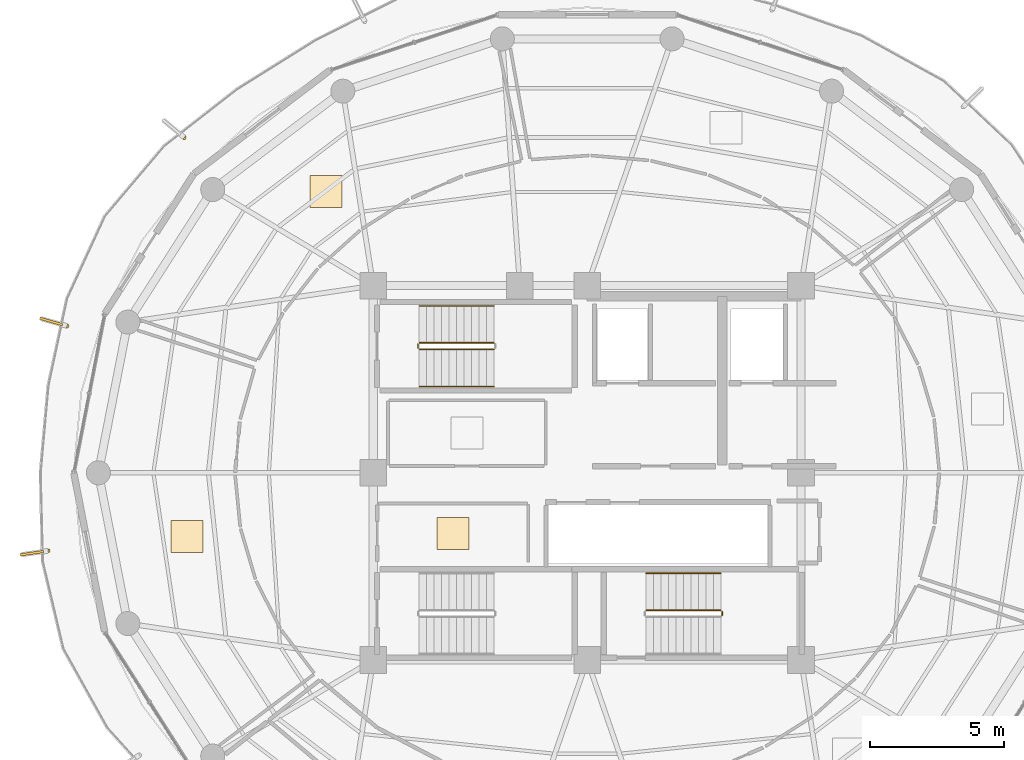
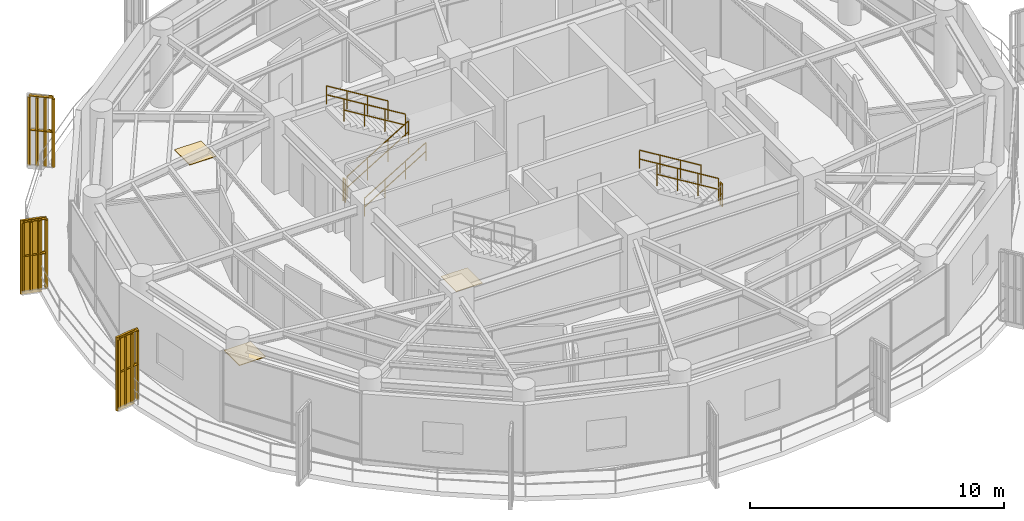
# One storey, part 21 of 23: 11 railings, 3 coverings, 2 shading devices.
"""IFC4 building model written with IfcOpenShell, lengths in metres."""

from ifc_helpers import new_model, si_unit, direction, frame, origin, origin_2d, place, context, subcontext, project, spatial, polyline, rectangle, outline, extrude, source, transform, mapped, material, layer, layer_set, type_object, element, save


model = new_model("IFC4")

# Units and contexts
model_context = context("Model", 3, precision=1e-05, world=origin(), true_north=direction((0.0, 1.0)))
body_context = subcontext(model_context, "Body", "Model", "MODEL_VIEW")
ifc_project = project(units=[si_unit("LENGTHUNIT", "METRE"), si_unit("AREAUNIT", "SQUARE_METRE"), si_unit("VOLUMEUNIT", "CUBIC_METRE"), si_unit("PLANEANGLEUNIT", "RADIAN"), si_unit("MASSUNIT", "GRAM", prefix="KILO")], contexts=[model_context])

# Site, building, storey
site_placement = place(None, origin())
site = spatial("IfcSite", under=ifc_project, at=site_placement, CompositionType="ELEMENT")
building_placement = place(site_placement, origin())
building = spatial("IfcBuilding", under=site, at=building_placement, Name="Kelanora Arch Commons", CompositionType="ELEMENT")
storey_placement = place(building_placement, frame((0.0, 0.0, 289.949951171875)))
storey = spatial("IfcBuildingStorey", under=building, at=storey_placement, Name="L74", CompositionType="ELEMENT", Elevation=289.949951171875)

# Railings
ifc_material_1 = material(Name="Anodised bronze vertical shading fin rib assembly")
railing_type_1 = type_object("IfcRailingType", Name="RAIL-FIN-BRZ", PredefinedType="BALUSTRADE", material=ifc_material_1)
railing_1_placement = place(storey_placement, frame((58.928955078125, 70.541259765625, -0.02001953125)))
element("IfcRailing", 1, at=railing_1_placement, inside=storey, type_object=railing_type_1, Name="Sweeping Bronze Vertical Fin Blade L74-06", PredefinedType="BALUSTRADE", context=body_context, shape_type="SweptSolid", body=[
    extrude(outline(polyline([(0.06982421875, 0.0), (0.034912109375, 0.060546875), (-0.034912109375, 0.060546875), (-0.06982421875, 0.0), (-0.034912109375, -0.060546875), (0.034912109375, -0.060546875), (0.06982421875, 0.0)])), frame((0.0, 0.0, 3.35986328125), z_axis=(-0.768726133389, 0.639578088935, 0.0), x_axis=(-0.639578088935, -0.768726133389, 0.0)), (0.0, 0.0, 1.0), 0.950927734375),
    extrude(outline(polyline([(0.06982421875, 0.0), (0.034912109375, 0.060546875), (-0.034912109375, 0.060546875), (-0.06982421875, 0.0), (-0.034912109375, -0.060546875), (0.034912109375, -0.060546875), (0.06982421875, 0.0)])), frame((0.0, 0.0, 1.71484375), z_axis=(-0.768726133389, 0.639578088935, 0.0), x_axis=(-0.639578088935, -0.768726133389, 0.0)), (0.0, 0.0, 1.0), 0.950927734375),
    extrude(outline(polyline([(0.080078125, 0.0), (0.0400390625, 0.0693359375), (-0.0400390625, 0.0693359375), (-0.080078125, 0.0), (-0.0400390625, -0.0693359375), (0.0400390625, -0.0693359375), (0.080078125, 0.0)])), origin(), (0.0, 0.0, 1.0), 3.2900390625),
    extrude(outline(polyline([(0.080078125, 0.0), (0.0400390625, 0.0693359375), (-0.0400390625, 0.0693359375), (-0.080078125, 0.0), (-0.0400390625, -0.0693359375), (0.0400390625, -0.0693359375), (0.080078125, 0.0)])), frame((-0.24365234375, 0.20263671875, 0.0)), (0.0, 0.0, 1.0), 3.2900390625),
    extrude(outline(polyline([(0.080078125, 0.0), (0.0400390625, 0.0693359375), (-0.0400390625, 0.0693359375), (-0.080078125, 0.0), (-0.0400390625, -0.0693359375), (0.0400390625, -0.0693359375), (0.080078125, 0.0)])), frame((-0.4873046875, 0.405517578125, 0.0)), (0.0, 0.0, 1.0), 3.2900390625),
    extrude(outline(polyline([(0.080078125, 0.0), (0.0400390625, 0.0693359375), (-0.0400390625, 0.0693359375), (-0.080078125, 0.0), (-0.0400390625, -0.0693359375), (0.0400390625, -0.0693359375), (0.080078125, 0.0)])), frame((-0.73095703125, 0.608154296875, 0.0)), (0.0, 0.0, 1.0), 3.2900390625),
])
railing_2_placement = place(storey_placement, frame((54.545654296875, 63.4921875, -0.02001953125)))
element("IfcRailing", 2, at=railing_2_placement, inside=storey, type_object=railing_type_1, Name="Sweeping Bronze Vertical Fin Blade L74-07", PredefinedType="BALUSTRADE", context=body_context, shape_type="SweptSolid", body=[
    extrude(outline(polyline([(0.06982421875, 0.0), (0.034912109375, 0.060546875), (-0.034912109375, 0.060546875), (-0.06982421875, 0.0), (-0.034912109375, -0.060546875), (0.034912109375, -0.060546875), (0.06982421875, 0.0)])), frame((0.0, 0.0, 3.35986328125), z_axis=(-0.962391167841, 0.271667517496, 0.0), x_axis=(-0.271667517496, -0.962391167841, 0.0)), (0.0, 0.0, 1.0), 0.95068359375),
    extrude(outline(polyline([(0.06982421875, 0.0), (0.034912109375, 0.060546875), (-0.034912109375, 0.060546875), (-0.06982421875, 0.0), (-0.034912109375, -0.060546875), (0.034912109375, -0.060546875), (0.06982421875, 0.0)])), frame((0.0, 0.0, 1.71484375), z_axis=(-0.962391167841, 0.271667517496, 0.0), x_axis=(-0.271667517496, -0.962391167841, 0.0)), (0.0, 0.0, 1.0), 0.95068359375),
    extrude(outline(polyline([(0.080078125, 0.0), (0.0400390625, 0.0693359375), (-0.0400390625, 0.0693359375), (-0.080078125, 0.0), (-0.0400390625, -0.0693359375), (0.0400390625, -0.0693359375), (0.080078125, 0.0)])), origin(), (0.0, 0.0, 1.0), 3.2900390625),
    extrude(outline(polyline([(0.080078125, 0.0), (0.0400390625, 0.0693359375), (-0.0400390625, 0.0693359375), (-0.080078125, 0.0), (-0.0400390625, -0.0693359375), (0.0400390625, -0.0693359375), (0.080078125, 0.0)])), frame((-0.304931640625, 0.086181640625, 0.0)), (0.0, 0.0, 1.0), 3.2900390625),
    extrude(outline(polyline([(0.080078125, 0.0), (0.0400390625, 0.0693359375), (-0.0400390625, 0.0693359375), (-0.080078125, 0.0), (-0.0400390625, -0.0693359375), (0.0400390625, -0.0693359375), (0.080078125, 0.0)])), frame((-0.610107421875, 0.172119140625, 0.0)), (0.0, 0.0, 1.0), 3.2900390625),
    extrude(outline(polyline([(0.080078125, 0.0), (0.0400390625, 0.0693359375), (-0.0400390625, 0.0693359375), (-0.080078125, 0.0), (-0.0400390625, -0.0693359375), (0.0400390625, -0.0693359375), (0.080078125, 0.0)])), frame((-0.9150390625, 0.25830078125, 0.0)), (0.0, 0.0, 1.0), 3.2900390625),
])
railing_3_placement = place(storey_placement, frame((53.840087890625, 55.08251953125, -0.02001953125)))
element("IfcRailing", 3, at=railing_3_placement, inside=storey, type_object=railing_type_1, Name="Sweeping Bronze Vertical Fin Blade L74-08", PredefinedType="BALUSTRADE", context=body_context, shape_type="SweptSolid", body=[
    extrude(outline(polyline([(0.06982421875, 0.0), (0.034912109375, 0.060546875), (-0.034912109375, 0.060546875), (-0.06982421875, 0.0), (-0.034912109375, -0.060546875), (0.034912109375, -0.060546875), (0.06982421875, 0.0)])), frame((0.0, 0.0, 3.35986328125), z_axis=(-0.989680663651, -0.143290557944, 0.0), x_axis=(0.143290557944, -0.989680663651, 0.0)), (0.0, 0.0, 1.0), 0.95068359375),
    extrude(outline(polyline([(0.06982421875, 0.0), (0.034912109375, 0.060546875), (-0.034912109375, 0.060546875), (-0.06982421875, 0.0), (-0.034912109375, -0.060546875), (0.034912109375, -0.060546875), (0.06982421875, 0.0)])), frame((0.0, 0.0, 1.71484375), z_axis=(-0.989680663651, -0.143290557944, 0.0), x_axis=(0.143290557944, -0.989680663651, 0.0)), (0.0, 0.0, 1.0), 0.95068359375),
    extrude(outline(polyline([(0.080078125, 0.0), (0.0400390625, 0.0693359375), (-0.0400390625, 0.0693359375), (-0.080078125, 0.0), (-0.0400390625, -0.0693359375), (0.0400390625, -0.0693359375), (0.080078125, 0.0)])), origin(), (0.0, 0.0, 1.0), 3.2900390625),
    extrude(outline(polyline([(0.080078125, 0.0), (0.0400390625, 0.0693359375), (-0.0400390625, 0.0693359375), (-0.080078125, 0.0), (-0.0400390625, -0.0693359375), (0.0400390625, -0.0693359375), (0.080078125, 0.0)])), frame((-0.313720703125, -0.04541015625, 0.0)), (0.0, 0.0, 1.0), 3.2900390625),
    extrude(outline(polyline([(0.080078125, 0.0), (0.0400390625, 0.0693359375), (-0.0400390625, 0.0693359375), (-0.080078125, 0.0), (-0.0400390625, -0.0693359375), (0.0400390625, -0.0693359375), (0.080078125, 0.0)])), frame((-0.627197265625, -0.0908203125, 0.0)), (0.0, 0.0, 1.0), 3.2900390625),
    extrude(outline(polyline([(0.080078125, 0.0), (0.0400390625, 0.0693359375), (-0.0400390625, 0.0693359375), (-0.080078125, 0.0), (-0.0400390625, -0.0693359375), (0.0400390625, -0.0693359375), (0.080078125, 0.0)])), frame((-0.94091796875, -0.13623046875, 0.0)), (0.0, 0.0, 1.0), 3.2900390625),
])
ifc_material_2 = material(Name="Painted steel stair well guard", Category="steel")
railing_type_2 = type_object("IfcRailingType", Name="RAIL-STAIR-GRD", PredefinedType="GUARDRAIL", material=ifc_material_2)
railing_4_placement = place(storey_placement, frame((67.719970703125, 62.610107421875, 0.17041015625)))
element("IfcRailing", 4, at=railing_4_placement, inside=storey, type_object=railing_type_2, Name="L74 ST-T1 stair guard 1", PredefinedType="GUARDRAIL", context=body_context, shape_type="SweptSolid", body=[
    extrude(outline(polyline([(0.02392578125, 0.0), (0.011962890625, 0.020751953125), (-0.011962890625, 0.020751953125), (-0.02392578125, 0.0), (-0.011962890625, -0.020751953125), (0.011962890625, -0.020751953125), (0.02392578125, 0.0)])), frame((0.0, 0.0, 1.076171875), z_axis=(0.854169791009, 0.0, 0.51999420009), x_axis=(0.0, 1.0, 0.0)), (0.0, 0.0, 1.0), 3.278076171875),
    extrude(outline(polyline([(0.02392578125, 0.0), (0.011962890625, 0.020751953125), (-0.011962890625, 0.020751953125), (-0.02392578125, 0.0), (-0.011962890625, -0.020751953125), (0.011962890625, -0.020751953125), (0.02392578125, 0.0)])), frame((0.0, 0.0, 0.550048828125), z_axis=(0.854169791009, 0.0, 0.51999420009), x_axis=(0.0, 1.0, 0.0)), (0.0, 0.0, 1.0), 3.278076171875),
    extrude(outline(polyline([(0.02099609375, 0.0), (0.010498046875, 0.01806640625), (-0.010498046875, 0.01806640625), (-0.02099609375, 0.0), (-0.010498046875, -0.01806640625), (0.010498046875, -0.01806640625), (0.02099609375, 0.0)])), origin(), (0.0, 0.0, 1.0), 1.052001953125),
    extrude(outline(polyline([(0.02099609375, 0.0), (0.010498046875, 0.01806640625), (-0.010498046875, 0.01806640625), (-0.02099609375, 0.0), (-0.010498046875, -0.01806640625), (0.010498046875, -0.01806640625), (0.02099609375, 0.0)])), frame((0.933349609375, 0.0, 0.568115234375)), (0.0, 0.0, 1.0), 1.052001953125),
    extrude(outline(polyline([(0.02099609375, 0.0), (0.010498046875, 0.01806640625), (-0.010498046875, 0.01806640625), (-0.02099609375, 0.0), (-0.010498046875, -0.01806640625), (0.010498046875, -0.01806640625), (0.02099609375, 0.0)])), frame((1.86669921875, 0.0, 1.136474609375)), (0.0, 0.0, 1.0), 1.052001953125),
    extrude(outline(polyline([(0.02099609375, 0.0), (0.010498046875, 0.01806640625), (-0.010498046875, 0.01806640625), (-0.02099609375, 0.0), (-0.010498046875, -0.01806640625), (0.010498046875, -0.01806640625), (0.02099609375, 0.0)])), frame((2.800048828125, 0.0, 1.70458984375)), (0.0, 0.0, 1.0), 1.052001953125),
])
railing_5_placement = place(storey_placement, frame((70.52001953125, 62.860107421875, 2.04541015625)))
element("IfcRailing", 5, at=railing_5_placement, inside=storey, type_object=railing_type_2, Name="L74 ST-T1 stair guard 3", PredefinedType="GUARDRAIL", context=body_context, shape_type="SweptSolid", body=[
    extrude(outline(polyline([(0.02392578125, 0.0), (0.011962890625, 0.020751953125), (-0.011962890625, 0.020751953125), (-0.02392578125, 0.0), (-0.011962890625, -0.020751953125), (0.011962890625, -0.020751953125), (0.02392578125, 0.0)])), frame((0.0, 0.0, 1.076171875), z_axis=(-0.854169791009, 0.0, 0.51999420009), x_axis=(0.0, -1.0, 0.0)), (0.0, 0.0, 1.0), 3.278076171875),
    extrude(outline(polyline([(0.02392578125, 0.0), (0.011962890625, 0.020751953125), (-0.011962890625, 0.020751953125), (-0.02392578125, 0.0), (-0.011962890625, -0.020751953125), (0.011962890625, -0.020751953125), (0.02392578125, 0.0)])), frame((0.0, 0.0, 0.550048828125), z_axis=(-0.854169791009, 0.0, 0.51999420009), x_axis=(0.0, -1.0, 0.0)), (0.0, 0.0, 1.0), 3.278076171875),
    extrude(outline(polyline([(0.02099609375, 0.0), (0.010498046875, 0.01806640625), (-0.010498046875, 0.01806640625), (-0.02099609375, 0.0), (-0.010498046875, -0.01806640625), (0.010498046875, -0.01806640625), (0.02099609375, 0.0)])), origin(), (0.0, 0.0, 1.0), 1.052001953125),
    extrude(outline(polyline([(0.02099609375, 0.0), (0.010498046875, 0.01806640625), (-0.010498046875, 0.01806640625), (-0.02099609375, 0.0), (-0.010498046875, -0.01806640625), (0.010498046875, -0.01806640625), (0.02099609375, 0.0)])), frame((-0.933349609375, 0.0, 0.568115234375)), (0.0, 0.0, 1.0), 1.052001953125),
    extrude(outline(polyline([(0.02099609375, 0.0), (0.010498046875, 0.01806640625), (-0.010498046875, 0.01806640625), (-0.02099609375, 0.0), (-0.010498046875, -0.01806640625), (0.010498046875, -0.01806640625), (0.02099609375, 0.0)])), frame((-1.86669921875, 0.0, 1.136474609375)), (0.0, 0.0, 1.0), 1.052001953125),
    extrude(outline(polyline([(0.02099609375, 0.0), (0.010498046875, 0.01806640625), (-0.010498046875, 0.01806640625), (-0.02099609375, 0.0), (-0.010498046875, -0.01806640625), (0.010498046875, -0.01806640625), (0.02099609375, 0.0)])), frame((-2.800048828125, 0.0, 1.70458984375)), (0.0, 0.0, 1.0), 1.052001953125),
])
for number, where, name in (
    (6, (67.669921875, 62.659912109375, 0.0), "L74 ST-T1 stair guard 4"),
    (7, (79.050048828125, 52.659912109375, 1.875), "L74 ST-T2 stair guard 2"),
):
    element("IfcRailing", number, at=place(storey_placement, frame(where)), inside=storey, type_object=railing_type_2, Name=name, PredefinedType="GUARDRAIL", context=body_context, shape_type="SweptSolid", body=[
        extrude(outline(polyline([(0.02392578125, 0.0), (0.011962890625, 0.020751953125), (-0.011962890625, 0.020751953125), (-0.02392578125, 0.0), (-0.011962890625, -0.020751953125), (0.011962890625, -0.020751953125), (0.02392578125, 0.0)])), frame((0.0, 0.0, 1.076171875), z_axis=(0.0, 1.0, 0.0), x_axis=(-1.0, 0.0, 0.0)), (0.0, 0.0, 1.0), 0.150146484375),
        extrude(outline(polyline([(0.02392578125, 0.0), (0.011962890625, 0.020751953125), (-0.011962890625, 0.020751953125), (-0.02392578125, 0.0), (-0.011962890625, -0.020751953125), (0.011962890625, -0.020751953125), (0.02392578125, 0.0)])), frame((0.0, 0.0, 0.550048828125), z_axis=(0.0, 1.0, 0.0), x_axis=(-1.0, 0.0, 0.0)), (0.0, 0.0, 1.0), 0.150146484375),
        extrude(outline(polyline([(0.02099609375, 0.0), (0.010498046875, 0.01806640625), (-0.010498046875, 0.01806640625), (-0.02099609375, 0.0), (-0.010498046875, -0.01806640625), (0.010498046875, -0.01806640625), (0.02099609375, 0.0)])), origin(), (0.0, 0.0, 1.0), 1.052001953125),
        extrude(outline(polyline([(0.02099609375, 0.0), (0.010498046875, 0.01806640625), (-0.010498046875, 0.01806640625), (-0.02099609375, 0.0), (-0.010498046875, -0.01806640625), (0.010498046875, -0.01806640625), (0.02099609375, 0.0)])), frame((0.0, 0.150146484375, 0.0)), (0.0, 0.0, 1.0), 1.052001953125),
    ])
railing_6_placement = place(storey_placement, frame((79.0, 52.860107421875, 2.04541015625)))
element("IfcRailing", 8, at=railing_6_placement, inside=storey, type_object=railing_type_2, Name="L74 ST-T2 stair guard 3", PredefinedType="GUARDRAIL", context=body_context, shape_type="SweptSolid", body=[
    extrude(outline(polyline([(0.02392578125, 0.0), (0.011962890625, 0.020751953125), (-0.011962890625, 0.020751953125), (-0.02392578125, 0.0), (-0.011962890625, -0.020751953125), (0.011962890625, -0.020751953125), (0.02392578125, 0.0)])), frame((0.0, 0.0, 1.076171875), z_axis=(-0.854169791009, 0.0, 0.51999420009), x_axis=(0.0, -1.0, 0.0)), (0.0, 0.0, 1.0), 3.278076171875),
    extrude(outline(polyline([(0.02392578125, 0.0), (0.011962890625, 0.020751953125), (-0.011962890625, 0.020751953125), (-0.02392578125, 0.0), (-0.011962890625, -0.020751953125), (0.011962890625, -0.020751953125), (0.02392578125, 0.0)])), frame((0.0, 0.0, 0.550048828125), z_axis=(-0.854169791009, 0.0, 0.51999420009), x_axis=(0.0, -1.0, 0.0)), (0.0, 0.0, 1.0), 3.278076171875),
    extrude(outline(polyline([(0.02099609375, 0.0), (0.010498046875, 0.01806640625), (-0.010498046875, 0.01806640625), (-0.02099609375, 0.0), (-0.010498046875, -0.01806640625), (0.010498046875, -0.01806640625), (0.02099609375, 0.0)])), origin(), (0.0, 0.0, 1.0), 1.052001953125),
    extrude(outline(polyline([(0.02099609375, 0.0), (0.010498046875, 0.01806640625), (-0.010498046875, 0.01806640625), (-0.02099609375, 0.0), (-0.010498046875, -0.01806640625), (0.010498046875, -0.01806640625), (0.02099609375, 0.0)])), frame((-0.933349609375, 0.0, 0.568115234375)), (0.0, 0.0, 1.0), 1.052001953125),
    extrude(outline(polyline([(0.02099609375, 0.0), (0.010498046875, 0.01806640625), (-0.010498046875, 0.01806640625), (-0.02099609375, 0.0), (-0.010498046875, -0.01806640625), (0.010498046875, -0.01806640625), (0.02099609375, 0.0)])), frame((-1.86669921875, 0.0, 1.136474609375)), (0.0, 0.0, 1.0), 1.052001953125),
    extrude(outline(polyline([(0.02099609375, 0.0), (0.010498046875, 0.01806640625), (-0.010498046875, 0.01806640625), (-0.02099609375, 0.0), (-0.010498046875, -0.01806640625), (0.010498046875, -0.01806640625), (0.02099609375, 0.0)])), frame((-2.800048828125, 0.0, 1.70458984375)), (0.0, 0.0, 1.0), 1.052001953125),
])
ifc_material_3 = material(Name="Brushed stainless steel stair handrail", Category="steel")
railing_type_3 = type_object("IfcRailingType", Name="RAIL-STAIR-HND", PredefinedType="HANDRAIL", material=ifc_material_3)
railing_7_placement = place(storey_placement, frame((67.719970703125, 61.22998046875, 0.17041015625)))
element("IfcRailing", 9, at=railing_7_placement, inside=storey, type_object=railing_type_3, Name="L74 ST-T1 stair handrail 1", PredefinedType="HANDRAIL", context=body_context, shape_type="SweptSolid", body=[
    extrude(outline(polyline([(0.02392578125, 0.0), (0.011962890625, 0.020751953125), (-0.011962890625, 0.020751953125), (-0.02392578125, 0.0), (-0.011962890625, -0.020751953125), (0.011962890625, -0.020751953125), (0.02392578125, 0.0)])), frame((0.0, 0.0, 0.8759765625), z_axis=(0.854169791009, 0.0, 0.51999420009), x_axis=(0.0, 1.0, 0.0)), (0.0, 0.0, 1.0), 3.278076171875),
    extrude(outline(polyline([(0.02392578125, 0.0), (0.011962890625, 0.020751953125), (-0.011962890625, 0.020751953125), (-0.02392578125, 0.0), (-0.011962890625, -0.020751953125), (0.011962890625, -0.020751953125), (0.02392578125, 0.0)])), frame((0.0, 0.0, 0.449951171875), z_axis=(0.854169791009, 0.0, 0.51999420009), x_axis=(0.0, 1.0, 0.0)), (0.0, 0.0, 1.0), 3.278076171875),
    extrude(outline(polyline([(0.02099609375, 0.0), (0.010498046875, 0.01806640625), (-0.010498046875, 0.01806640625), (-0.02099609375, 0.0), (-0.010498046875, -0.01806640625), (0.010498046875, -0.01806640625), (0.02099609375, 0.0)])), origin(), (0.0, 0.0, 1.0), 0.851806640625),
    extrude(outline(polyline([(0.02099609375, 0.0), (0.010498046875, 0.01806640625), (-0.010498046875, 0.01806640625), (-0.02099609375, 0.0), (-0.010498046875, -0.01806640625), (0.010498046875, -0.01806640625), (0.02099609375, 0.0)])), frame((0.933349609375, 0.0, 0.568115234375)), (0.0, 0.0, 1.0), 0.851806640625),
    extrude(outline(polyline([(0.02099609375, 0.0), (0.010498046875, 0.01806640625), (-0.010498046875, 0.01806640625), (-0.02099609375, 0.0), (-0.010498046875, -0.01806640625), (0.010498046875, -0.01806640625), (0.02099609375, 0.0)])), frame((1.86669921875, 0.0, 1.136474609375)), (0.0, 0.0, 1.0), 0.851806640625),
    extrude(outline(polyline([(0.02099609375, 0.0), (0.010498046875, 0.01806640625), (-0.010498046875, 0.01806640625), (-0.02099609375, 0.0), (-0.010498046875, -0.01806640625), (0.010498046875, -0.01806640625), (0.02099609375, 0.0)])), frame((2.800048828125, 0.0, 1.70458984375)), (0.0, 0.0, 1.0), 0.851806640625),
])
railing_8_placement = place(storey_placement, frame((70.52001953125, 64.239990234375, 2.04541015625)))
element("IfcRailing", 10, at=railing_8_placement, inside=storey, type_object=railing_type_3, Name="L74 ST-T1 stair handrail 2", PredefinedType="HANDRAIL", context=body_context, shape_type="SweptSolid", body=[
    extrude(outline(polyline([(0.02392578125, 0.0), (0.011962890625, 0.020751953125), (-0.011962890625, 0.020751953125), (-0.02392578125, 0.0), (-0.011962890625, -0.020751953125), (0.011962890625, -0.020751953125), (0.02392578125, 0.0)])), frame((0.0, 0.0, 0.8759765625), z_axis=(-0.854169791009, 0.0, 0.51999420009), x_axis=(0.0, -1.0, 0.0)), (0.0, 0.0, 1.0), 3.278076171875),
    extrude(outline(polyline([(0.02392578125, 0.0), (0.011962890625, 0.020751953125), (-0.011962890625, 0.020751953125), (-0.02392578125, 0.0), (-0.011962890625, -0.020751953125), (0.011962890625, -0.020751953125), (0.02392578125, 0.0)])), frame((0.0, 0.0, 0.449951171875), z_axis=(-0.854169791009, 0.0, 0.51999420009), x_axis=(0.0, -1.0, 0.0)), (0.0, 0.0, 1.0), 3.278076171875),
    extrude(outline(polyline([(0.02099609375, 0.0), (0.010498046875, 0.01806640625), (-0.010498046875, 0.01806640625), (-0.02099609375, 0.0), (-0.010498046875, -0.01806640625), (0.010498046875, -0.01806640625), (0.02099609375, 0.0)])), origin(), (0.0, 0.0, 1.0), 0.851806640625),
    extrude(outline(polyline([(0.02099609375, 0.0), (0.010498046875, 0.01806640625), (-0.010498046875, 0.01806640625), (-0.02099609375, 0.0), (-0.010498046875, -0.01806640625), (0.010498046875, -0.01806640625), (0.02099609375, 0.0)])), frame((-0.933349609375, 0.0, 0.568115234375)), (0.0, 0.0, 1.0), 0.851806640625),
    extrude(outline(polyline([(0.02099609375, 0.0), (0.010498046875, 0.01806640625), (-0.010498046875, 0.01806640625), (-0.02099609375, 0.0), (-0.010498046875, -0.01806640625), (0.010498046875, -0.01806640625), (0.02099609375, 0.0)])), frame((-1.86669921875, 0.0, 1.136474609375)), (0.0, 0.0, 1.0), 0.851806640625),
    extrude(outline(polyline([(0.02099609375, 0.0), (0.010498046875, 0.01806640625), (-0.010498046875, 0.01806640625), (-0.02099609375, 0.0), (-0.010498046875, -0.01806640625), (0.010498046875, -0.01806640625), (0.02099609375, 0.0)])), frame((-2.800048828125, 0.0, 1.70458984375)), (0.0, 0.0, 1.0), 0.851806640625),
])
railing_9_placement = place(storey_placement, frame((79.0, 54.239990234375, 2.04541015625)))
element("IfcRailing", 11, at=railing_9_placement, inside=storey, type_object=railing_type_3, Name="L74 ST-T2 stair handrail 2", PredefinedType="HANDRAIL", context=body_context, shape_type="SweptSolid", body=[
    extrude(outline(polyline([(0.02392578125, 0.0), (0.011962890625, 0.020751953125), (-0.011962890625, 0.020751953125), (-0.02392578125, 0.0), (-0.011962890625, -0.020751953125), (0.011962890625, -0.020751953125), (0.02392578125, 0.0)])), frame((0.0, 0.0, 0.8759765625), z_axis=(-0.854169791009, 0.0, 0.51999420009), x_axis=(0.0, -1.0, 0.0)), (0.0, 0.0, 1.0), 3.278076171875),
    extrude(outline(polyline([(0.02392578125, 0.0), (0.011962890625, 0.020751953125), (-0.011962890625, 0.020751953125), (-0.02392578125, 0.0), (-0.011962890625, -0.020751953125), (0.011962890625, -0.020751953125), (0.02392578125, 0.0)])), frame((0.0, 0.0, 0.449951171875), z_axis=(-0.854169791009, 0.0, 0.51999420009), x_axis=(0.0, -1.0, 0.0)), (0.0, 0.0, 1.0), 3.278076171875),
    extrude(outline(polyline([(0.02099609375, 0.0), (0.010498046875, 0.01806640625), (-0.010498046875, 0.01806640625), (-0.02099609375, 0.0), (-0.010498046875, -0.01806640625), (0.010498046875, -0.01806640625), (0.02099609375, 0.0)])), origin(), (0.0, 0.0, 1.0), 0.851806640625),
    extrude(outline(polyline([(0.02099609375, 0.0), (0.010498046875, 0.01806640625), (-0.010498046875, 0.01806640625), (-0.02099609375, 0.0), (-0.010498046875, -0.01806640625), (0.010498046875, -0.01806640625), (0.02099609375, 0.0)])), frame((-0.933349609375, 0.0, 0.568115234375)), (0.0, 0.0, 1.0), 0.851806640625),
    extrude(outline(polyline([(0.02099609375, 0.0), (0.010498046875, 0.01806640625), (-0.010498046875, 0.01806640625), (-0.02099609375, 0.0), (-0.010498046875, -0.01806640625), (0.010498046875, -0.01806640625), (0.02099609375, 0.0)])), frame((-1.86669921875, 0.0, 1.136474609375)), (0.0, 0.0, 1.0), 0.851806640625),
    extrude(outline(polyline([(0.02099609375, 0.0), (0.010498046875, 0.01806640625), (-0.010498046875, 0.01806640625), (-0.02099609375, 0.0), (-0.010498046875, -0.01806640625), (0.010498046875, -0.01806640625), (0.02099609375, 0.0)])), frame((-2.800048828125, 0.0, 1.70458984375)), (0.0, 0.0, 1.0), 0.851806640625),
])

# Shading devices
ifc_material_4 = material(Name="Terracotta ceramic-clad extruded aluminium fin", Category="masonry")
shading_device_type = type_object("IfcShadingDeviceType", Name="SHD-FIN-FLARE", PredefinedType="USERDEFINED", material=ifc_material_4)
shared_shape_1 = source(origin(), body_context, "Body", "SweptSolid", [
    extrude(rectangle(XDim=0.8798828125, YDim=0.090087890625, at=origin_2d()), origin(), (0.0, 0.0, 1.0), 3.550048828125),
])
for number, where, z_axis, x_axis, name in (
    (12, (53.953369140625, 63.659423828125, -0.14013671875), (0.0, 0.0, 1.0), (-0.962407846499, 0.271608425858, 0.0), "Sweeping Terracotta Fin L74-07"),
    (13, (53.231201171875, 54.994140625, -0.14013671875), (0.0, 0.0, 1.0), (-0.989676415933, -0.143319893055, 0.0), "Sweeping Terracotta Fin L74-08"),
):
    element("IfcShadingDevice", number, at=place(storey_placement, frame(where, z_axis=z_axis, x_axis=x_axis)), inside=storey, type_object=shading_device_type, Name=name, ObjectType="FIN", PredefinedType="USERDEFINED", context=body_context, shape_type="MappedRepresentation", body=[
        mapped(shared_shape_1, transform((0.0, 0.0, 0.0), scale=1.0)),
    ])

# Coverings
ifc_material_5 = material(Name="Polished local granite terrazzo flooring", Category="masonry")
ifc_layer = layer(ifc_material_5, 0.030029296875)
ifc_layer_set = layer_set([ifc_layer], Name="Polished local granite terrazzo flooring")
covering_type = type_object("IfcCoveringType", Name="COV-FLR-TER", PredefinedType="FLOORING", material=ifc_layer_set)
shared_shape_2 = source(origin(), body_context, "Body", "SweptSolid", [
    extrude(rectangle(XDim=1.199951171875, YDim=1.199951171875, at=origin_2d()), origin(), (0.0, 0.0, 1.0), 0.030029296875),
])
for number, where, z_axis, x_axis, name in (
    (14, (68.97509765625, 55.735107421875, 0.0), (0.0, 0.0, 1.0), (1.0, 0.0, 0.0), "Reclaimed Core High-Zone Pantry and Copy Room L74 Terrazzo Finish"),
    (15, (64.233154296875, 68.52001953125, 0.0), (0.0, 0.0, 1.0), (1.0, 0.0, 0.0), "Communal Dining and Social Hall L74-01 Terrazzo Finish"),
    (16, (59.03662109375, 55.615478515625, 0.0), (0.0, 0.0, 1.0), (1.0, 0.0, 0.0), "Social Sky Lounge L74-02 Terrazzo Finish"),
):
    element("IfcCovering", number, at=place(storey_placement, frame(where, z_axis=z_axis, x_axis=x_axis)), inside=storey, type_object=covering_type, Name=name, PredefinedType="FLOORING", context=body_context, shape_type="MappedRepresentation", body=[
        mapped(shared_shape_2, transform((0.0, 0.0, 0.0), scale=1.0)),
    ])

save(model, "model.ifc")
